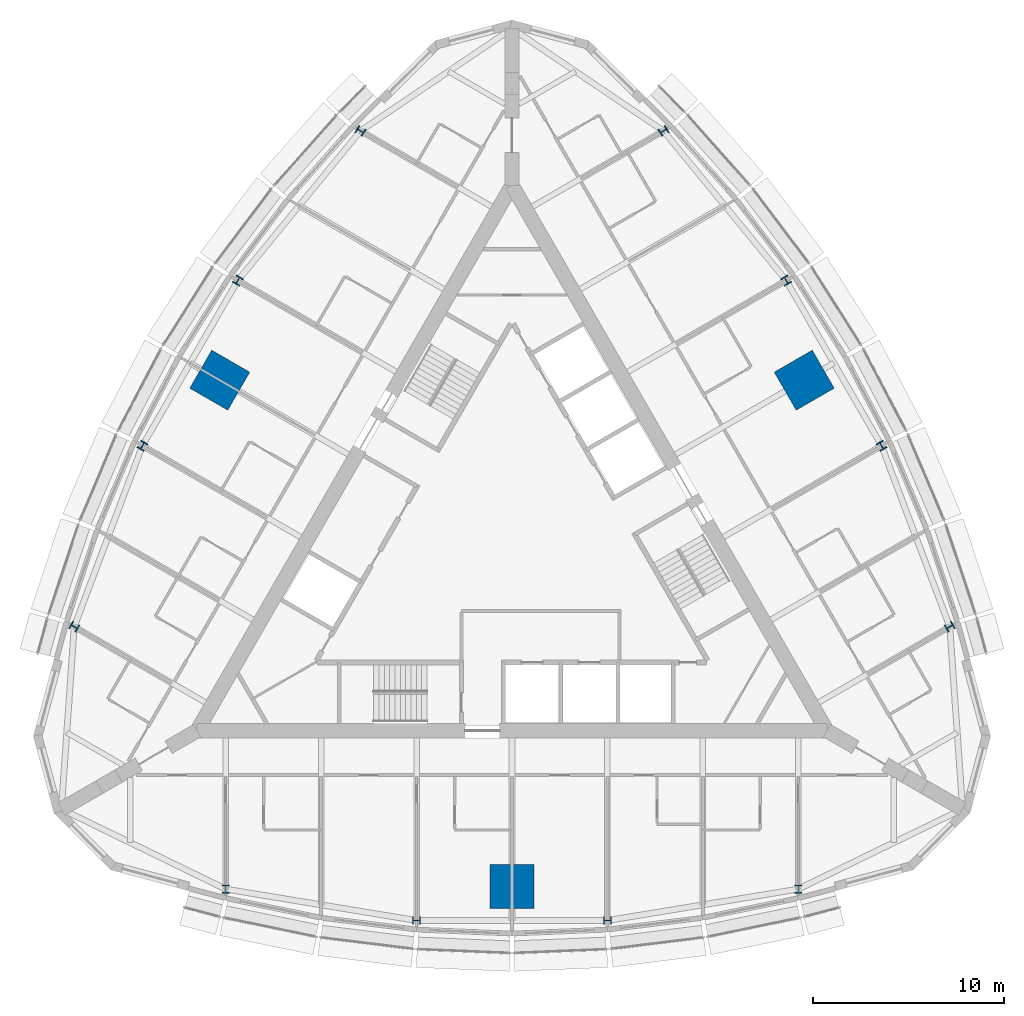
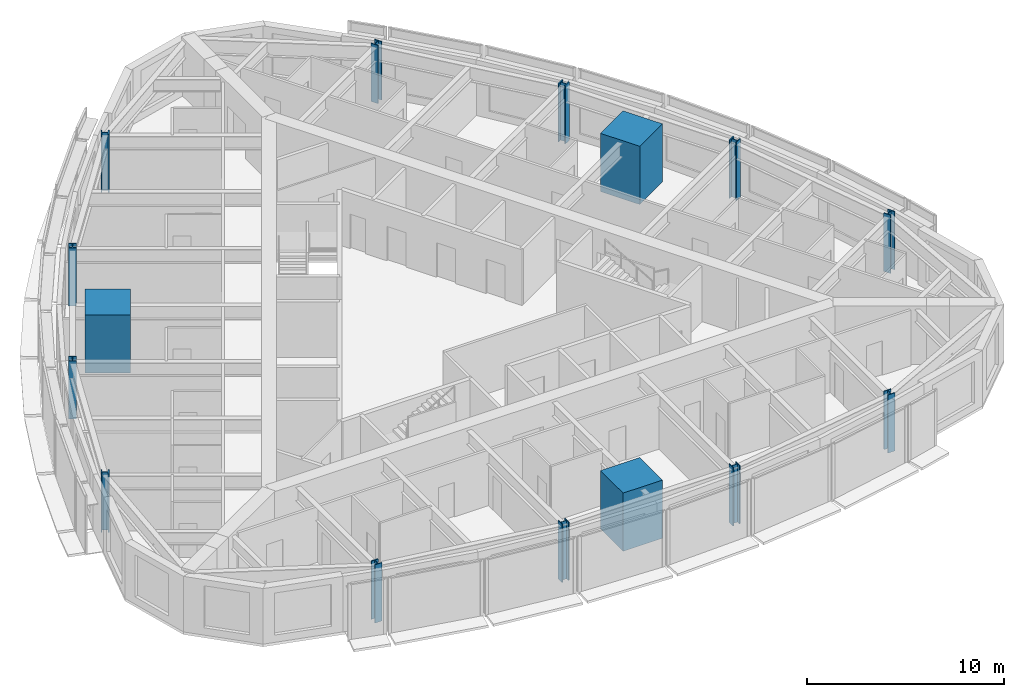
# One storey, part 1 of 15: 15 columns.
"""IFC4 building model written with IfcOpenShell, lengths in metres."""

from ifc_helpers import new_model, si_unit, direction, frame, origin, origin_2d, place, context, subcontext, project, spatial, rectangle, i_section, extrude, material, material_profile, profile_set, type_object, element, save


model = new_model("IFC4")

# Units and contexts
model_context = context("Model", 3, precision=1e-05, world=origin(), true_north=direction((0.0, 1.0)))
body_context = subcontext(model_context, "Body", "Model", "MODEL_VIEW")
ifc_project = project(units=[si_unit("LENGTHUNIT", "METRE"), si_unit("AREAUNIT", "SQUARE_METRE"), si_unit("VOLUMEUNIT", "CUBIC_METRE"), si_unit("PLANEANGLEUNIT", "RADIAN"), si_unit("MASSUNIT", "GRAM", prefix="KILO")], contexts=[model_context])

# Site, building, storey
site_placement = place(None, origin())
site = spatial("IfcSite", under=ifc_project, at=site_placement, CompositionType="ELEMENT")
building_placement = place(site_placement, origin())
building = spatial("IfcBuilding", under=site, at=building_placement, Name="Trikona Tower", CompositionType="ELEMENT")
storey_placement = place(building_placement, frame((0.0, 0.0, 218.89990234375)))
storey = spatial("IfcBuildingStorey", under=building, at=storey_placement, Name="L58", CompositionType="ELEMENT", Elevation=218.89990234375)

# Columns
ifc_material_1 = material(Name="Concrete f'c 10000 psi with encased steel section", Category="concrete")
ifc_material_profile_1 = material_profile(ifc_material_1, rectangle(XDim=2.300048828125, YDim=2.300048828125, at=origin_2d()), Name="MC2300")
ifc_profile_set_1 = profile_set([ifc_material_profile_1], Name="Concrete f'c 10000 psi with encased steel section")
column_type_1 = type_object("IfcColumnType", Name="Composite mega column 2300x2300", PredefinedType="COLUMN", material=ifc_profile_set_1)
for number, where, z_axis, x_axis, name in (
    (1, (0.0, -17.680419921875, 0.0), (0.0, 0.0, 1.0), (0.0, -1.0, 0.0), "Mega column MC1"),
    (2, (15.311767578125, 8.84033203125, 0.0), (0.0, 0.0, 1.0), (0.866025403784, 0.5, 0.0), "Mega column MC2"),
    (3, (-15.311767578125, 8.84033203125, 0.0), (0.0, 0.0, 1.0), (-0.866025403784, 0.5, 0.0), "Mega column MC3"),
):
    element("IfcColumn", number, at=place(storey_placement, frame(where, z_axis=z_axis, x_axis=x_axis)), inside=storey, type_object=column_type_1, Name=name, PredefinedType="COLUMN", context=body_context, shape_type="SweptSolid", body=[
        extrude(rectangle(XDim=2.300048828125, YDim=2.300048828125, at=origin_2d()), origin(), (0.0, 0.0, 1.0), 3.60009765625),
    ])
ifc_material_2 = material(Name="Steel ASTM A992 Grade 50", Category="steel")
ifc_material_profile_2 = material_profile(ifc_material_2, i_section(OverallWidth=0.411376953125, OverallDepth=0.434326171875, WebThickness=0.035888671875, FlangeThickness=0.057373046875, at=origin_2d()), Name="W14X311")
ifc_profile_set_2 = profile_set([ifc_material_profile_2], Name="Steel ASTM A992 Grade 50")
column_type_2 = type_object("IfcColumnType", Name="Steel column W14x311", PredefinedType="COLUMN", material=ifc_profile_set_2)
for number, where, z_axis, x_axis, name in (
    (4, (-15.0, -17.824951171875, 0.0), (0.0, 0.0, 1.0), (1.0, 0.0, 0.0), "Column F0m15"),
    (5, (-5.0, -19.471923828125, 0.0), (0.0, 0.0, 1.0), (0.0, -1.0, 0.0), "Column F0m5"),
    (6, (5.0, -19.471923828125, 0.0), (0.0, 0.0, 1.0), (0.0, -1.0, 0.0), "Column F0p5"),
    (7, (15.0, -17.824951171875, 0.0), (0.0, 0.0, 1.0), (1.0, 0.0, 0.0), "Column F0p15"),
    (8, (22.936767578125, -4.077880859375, 0.0), (0.0, 0.0, 1.0), (-0.5, 0.866025403784, 0.0), "Column F1m15"),
    (9, (19.36328125, 5.406005859375, 0.0), (0.0, 0.0, 1.0), (0.866025403784, 0.5, 0.0), "Column F1m5"),
    (10, (14.36328125, 14.066162109375, 0.0), (0.0, 0.0, 1.0), (0.866025403784, 0.5, 0.0), "Column F1p5"),
    (11, (7.936767578125, 21.90283203125, 0.0), (0.0, 0.0, 1.0), (-0.5, 0.866025403784, 0.0), "Column F1p15"),
    (12, (-7.936767578125, 21.90283203125, 0.0), (0.0, 0.0, 1.0), (-0.5, -0.866025403784, 0.0), "Column F2m15"),
    (13, (-14.36328125, 14.066162109375, 0.0), (0.0, 0.0, 1.0), (-0.866025403784, 0.5, 0.0), "Column F2m5"),
    (14, (-19.36328125, 5.406005859375, 0.0), (0.0, 0.0, 1.0), (-0.866025403784, 0.5, 0.0), "Column F2p5"),
    (15, (-22.936767578125, -4.077880859375, 0.0), (0.0, 0.0, 1.0), (-0.5, -0.866025403784, 0.0), "Column F2p15"),
):
    element("IfcColumn", number, at=place(storey_placement, frame(where, z_axis=z_axis, x_axis=x_axis)), inside=storey, type_object=column_type_2, Name=name, PredefinedType="COLUMN", context=body_context, shape_type="SweptSolid", body=[
        extrude(i_section(OverallWidth=0.411376953125, OverallDepth=0.434326171875, WebThickness=0.035888671875, FlangeThickness=0.057373046875, at=origin_2d()), origin(), (0.0, 0.0, 1.0), 3.60009765625),
    ])

save(model, "model.ifc")
